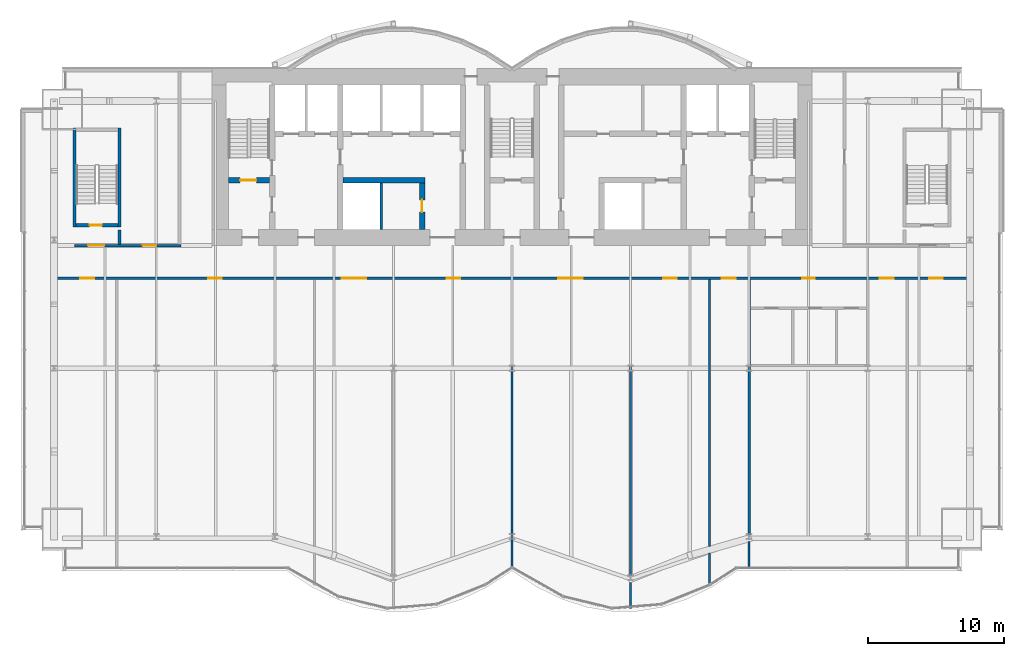
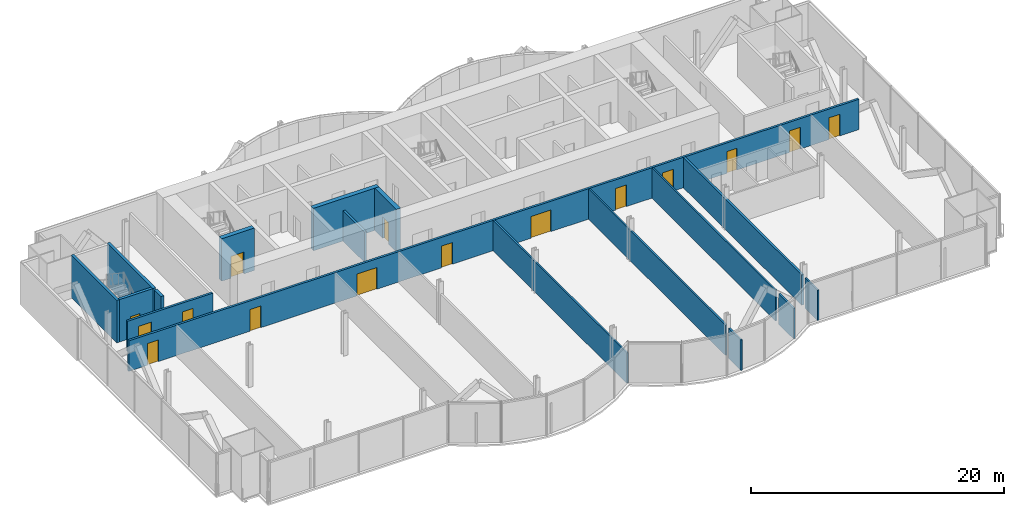
# One storey, part 15 of 21: 17 walls, 15 doors, 15 openings.
"""IFC4 building model written with IfcOpenShell, lengths in metres."""

from ifc_helpers import new_model, si_unit, direction, frame, frame_2d, origin, place, context, subcontext, project, spatial, rectangle, extrude, material, layer, layer_set, type_object, element, fill, save


model = new_model("IFC4")

# Units and contexts
model_context = context("Model", 3, precision=1e-05, world=origin(), true_north=direction((0.0, 1.0)))
body_context = subcontext(model_context, "Body", "Model", "MODEL_VIEW")
ifc_project = project(units=[si_unit("LENGTHUNIT", "METRE"), si_unit("AREAUNIT", "SQUARE_METRE"), si_unit("VOLUMEUNIT", "CUBIC_METRE"), si_unit("PLANEANGLEUNIT", "RADIAN"), si_unit("MASSUNIT", "GRAM", prefix="KILO")], contexts=[model_context])

# Site, building, storey
site_placement = place(None, origin())
site = spatial("IfcSite", under=ifc_project, at=site_placement, CompositionType="ELEMENT")
building_placement = place(site_placement, origin())
building = spatial("IfcBuilding", under=site, at=building_placement, Name="Bicima Exchange Tower", CompositionType="ELEMENT")
storey_placement = place(building_placement, frame((0.0, 0.0, 126.800048828125)))
storey = spatial("IfcBuildingStorey", under=building, at=storey_placement, Name="L27", CompositionType="ELEMENT", Elevation=126.800048828125)

# Wall
ifc_material_1 = material(Name="Gypsum board partition")
ifc_layer_1 = layer(ifc_material_1, 0.199951171875)
ifc_layer_set_1 = layer_set([ifc_layer_1], Name="Gypsum board partition")
wall_type_1 = type_object("IfcWallType", Name="Fire-rated gypsum partition 200 EI120", PredefinedType="PARTITIONING", material=ifc_layer_set_1)
wall_1_placement = place(storey_placement, frame((-9.60009765625, -11.800048828125, 0.0), z_axis=(0.0, 0.0, 1.0), x_axis=(0.0, 1.0, 0.0)))
element("IfcWall", 1, at=wall_1_placement, inside=storey, type_object=wall_type_1, Name="partition wall 11", PredefinedType="PARTITIONING", context=body_context, shape_type="SweptSolid", body=[
    extrude(rectangle(XDim=3.400146484375, YDim=0.199951171875, at=frame_2d((1.7001953125, 0.0))), origin(), (0.0, 0.0, 1.0), 2.939453125),
])

# Wall, openings, doors
ifc_layer_2 = layer(ifc_material_1, 0.199951171875)
ifc_layer_set_2 = layer_set([ifc_layer_2], Name="Gypsum board partition")
wall_type_2 = type_object("IfcWallType", Name="Fire-rated gypsum partition 200 EI60", PredefinedType="PARTITIONING", material=ifc_layer_set_2)
wall_2_placement = place(storey_placement, frame((-33.3701171875, -15.39990234375, 0.0), z_axis=(0.0, 0.0, 1.0), x_axis=(1.0, 0.0, 0.0)))
wall_2 = element("IfcWall", 2, at=wall_2_placement, inside=storey, type_object=wall_type_2, Name="partition wall 3", PredefinedType="PARTITIONING", context=body_context, shape_type="SweptSolid", body=[
    extrude(rectangle(XDim=66.740234375, YDim=0.199951171875, at=frame_2d((33.3701171875, 0.0))), origin(), (0.0, 0.0, 1.0), 2.939453125),
])
opening_1_placement = place(wall_2_placement, frame((1.699951171875, 0.0, 0.0)))
opening_1 = element("IfcOpeningElement", 3, at=opening_1_placement, cuts=wall_2, Name="Opening L27-007", PredefinedType="OPENING", context=body_context, shape_type="SweptSolid", body=[
    extrude(rectangle(XDim=1.0, YDim=2.10009765625, at=frame_2d((0.5, 1.050048828125))), frame((0.0, 0.11181640625, 0.0), z_axis=(0.0, -1.0, 0.0), x_axis=(1.0, 0.0, 0.0)), (0.0, 0.0, 1.0), 0.223876953125),
])
opening_2_placement = place(wall_2_placement, frame((11.070068359375, 0.0, 0.0)))
opening_2 = element("IfcOpeningElement", 4, at=opening_2_placement, cuts=wall_2, Name="Opening L27-008", PredefinedType="OPENING", context=body_context, shape_type="SweptSolid", body=[
    extrude(rectangle(XDim=1.0, YDim=2.10009765625, at=frame_2d((0.5, 1.050048828125))), frame((0.0, 0.11181640625, 0.0), z_axis=(0.0, -1.0, 0.0), x_axis=(1.0, 0.0, 0.0)), (0.0, 0.0, 1.0), 0.223876953125),
])
opening_3_placement = place(wall_2_placement, frame((20.8701171875, 0.0, 0.0)))
opening_3 = element("IfcOpeningElement", 5, at=opening_3_placement, cuts=wall_2, Name="Opening L27-009", PredefinedType="OPENING", context=body_context, shape_type="SweptSolid", body=[
    extrude(rectangle(XDim=1.800048828125, YDim=2.10009765625, at=frame_2d((0.89990234375, 1.050048828125))), frame((0.0, 0.11181640625, 0.0), z_axis=(0.0, -1.0, 0.0), x_axis=(1.0, 0.0, 0.0)), (0.0, 0.0, 1.0), 0.223876953125),
])
opening_4_placement = place(wall_2_placement, frame((28.570068359375, 0.0, 0.0)))
opening_4 = element("IfcOpeningElement", 6, at=opening_4_placement, cuts=wall_2, Name="Opening L27-010", PredefinedType="OPENING", context=body_context, shape_type="SweptSolid", body=[
    extrude(rectangle(XDim=1.0, YDim=2.10009765625, at=frame_2d((0.5, 1.050048828125))), frame((0.0, 0.11181640625, 0.0), z_axis=(0.0, -1.0, 0.0), x_axis=(1.0, 0.0, 0.0)), (0.0, 0.0, 1.0), 0.223876953125),
])
opening_5_placement = place(wall_2_placement, frame((36.77001953125, 0.0, 0.0)))
opening_5 = element("IfcOpeningElement", 7, at=opening_5_placement, cuts=wall_2, Name="Opening L27-011", PredefinedType="OPENING", context=body_context, shape_type="SweptSolid", body=[
    extrude(rectangle(XDim=1.800048828125, YDim=2.10009765625, at=frame_2d((0.89990234375, 1.050048828125))), frame((0.0, 0.11181640625, 0.0), z_axis=(0.0, -1.0, 0.0), x_axis=(1.0, 0.0, 0.0)), (0.0, 0.0, 1.0), 0.223876953125),
])
opening_6_placement = place(wall_2_placement, frame((44.469970703125, 0.0, 0.0)))
opening_6 = element("IfcOpeningElement", 8, at=opening_6_placement, cuts=wall_2, Name="Opening L27-012", PredefinedType="OPENING", context=body_context, shape_type="SweptSolid", body=[
    extrude(rectangle(XDim=1.0, YDim=2.10009765625, at=frame_2d((0.5, 1.050048828125))), frame((0.0, 0.11181640625, 0.0), z_axis=(0.0, -1.0, 0.0), x_axis=(1.0, 0.0, 0.0)), (0.0, 0.0, 1.0), 0.223876953125),
])
opening_7_placement = place(wall_2_placement, frame((48.77001953125, 0.0, 0.0)))
opening_7 = element("IfcOpeningElement", 9, at=opening_7_placement, cuts=wall_2, Name="Opening L27-013", PredefinedType="OPENING", context=body_context, shape_type="SweptSolid", body=[
    extrude(rectangle(XDim=1.0, YDim=2.10009765625, at=frame_2d((0.5, 1.050048828125))), frame((0.0, 0.11181640625, 0.0), z_axis=(0.0, -1.0, 0.0), x_axis=(1.0, 0.0, 0.0)), (0.0, 0.0, 1.0), 0.223876953125),
])
opening_8_placement = place(wall_2_placement, frame((54.669921875, 0.0, 0.0)))
opening_8 = element("IfcOpeningElement", 10, at=opening_8_placement, cuts=wall_2, Name="Opening L27-014", PredefinedType="OPENING", context=body_context, shape_type="SweptSolid", body=[
    extrude(rectangle(XDim=0.89990234375, YDim=2.10009765625, at=frame_2d((0.449951171875, 1.050048828125))), frame((0.0, 0.11181640625, 0.0), z_axis=(0.0, -1.0, 0.0), x_axis=(1.0, 0.0, 0.0)), (0.0, 0.0, 1.0), 0.223876953125),
])
opening_9_placement = place(wall_2_placement, frame((60.3701171875, 0.0, 0.0)))
opening_9 = element("IfcOpeningElement", 11, at=opening_9_placement, cuts=wall_2, Name="Opening L27-018", PredefinedType="OPENING", context=body_context, shape_type="SweptSolid", body=[
    extrude(rectangle(XDim=1.0, YDim=2.10009765625, at=frame_2d((0.5, 1.050048828125))), frame((0.0, 0.11181640625, 0.0), z_axis=(0.0, -1.0, 0.0), x_axis=(1.0, 0.0, 0.0)), (0.0, 0.0, 1.0), 0.223876953125),
])
opening_10_placement = place(wall_2_placement, frame((63.969970703125, 0.0, 0.0)))
opening_10 = element("IfcOpeningElement", 12, at=opening_10_placement, cuts=wall_2, Name="Opening L27-019", PredefinedType="OPENING", context=body_context, shape_type="SweptSolid", body=[
    extrude(rectangle(XDim=1.0, YDim=2.10009765625, at=frame_2d((0.5, 1.050048828125))), frame((0.0, 0.11181640625, 0.0), z_axis=(0.0, -1.0, 0.0), x_axis=(1.0, 0.0, 0.0)), (0.0, 0.0, 1.0), 0.223876953125),
])
ifc_material_2 = material(Name="Steel fire door leaf", Category="steel")
door_type_1 = type_object("IfcDoorType", Name="Door 1000 swing FD30S", OperationType="SINGLE_SWING_LEFT", PredefinedType="DOOR", material=ifc_material_2)
door_1_placement = place(opening_1_placement, frame((1.0, 0.0, 0.0), z_axis=(0.0, 0.0, 1.0), x_axis=(-1.0, 0.0, 0.0)))
door_1 = element("IfcDoor", 13, at=door_1_placement, inside=storey, type_object=door_type_1, Name="Door", OperationType="SINGLE_SWING_LEFT", OverallHeight=2.10009765625, OverallWidth=1.0, PredefinedType="DOOR", context=body_context, shape_type="SweptSolid", body=[
    extrude(rectangle(XDim=1.0, YDim=2.10009765625, at=frame_2d((0.5, 1.050048828125))), frame((0.0, 0.02490234375, 0.0), z_axis=(0.0, -1.0, 0.0), x_axis=(1.0, 0.0, 0.0)), (0.0, 0.0, 1.0), 0.050048828125),
])
fill(opening_1, door_1)
door_2_placement = place(opening_2_placement, frame((1.0, 0.0, 0.0), z_axis=(0.0, 0.0, 1.0), x_axis=(-1.0, 0.0, 0.0)))
door_2 = element("IfcDoor", 14, at=door_2_placement, inside=storey, type_object=door_type_1, Name="Door", OperationType="SINGLE_SWING_RIGHT", OverallHeight=2.10009765625, OverallWidth=1.0, PredefinedType="DOOR", context=body_context, shape_type="SweptSolid", body=[
    extrude(rectangle(XDim=1.0, YDim=2.10009765625, at=frame_2d((0.5, 1.050048828125))), frame((0.0, 0.02490234375, 0.0), z_axis=(0.0, -1.0, 0.0), x_axis=(1.0, 0.0, 0.0)), (0.0, 0.0, 1.0), 0.050048828125),
])
fill(opening_2, door_2)
door_3_placement = place(opening_4_placement, frame((1.0, 0.0, 0.0), z_axis=(0.0, 0.0, 1.0), x_axis=(-1.0, 0.0, 0.0)))
door_3 = element("IfcDoor", 15, at=door_3_placement, inside=storey, type_object=door_type_1, Name="Door", OperationType="SINGLE_SWING_LEFT", OverallHeight=2.10009765625, OverallWidth=1.0, PredefinedType="DOOR", context=body_context, shape_type="SweptSolid", body=[
    extrude(rectangle(XDim=1.0, YDim=2.10009765625, at=frame_2d((0.5, 1.050048828125))), frame((0.0, 0.02490234375, 0.0), z_axis=(0.0, -1.0, 0.0), x_axis=(1.0, 0.0, 0.0)), (0.0, 0.0, 1.0), 0.050048828125),
])
fill(opening_4, door_3)
door_4_placement = place(opening_6_placement, frame((1.0, 0.0, 0.0), z_axis=(0.0, 0.0, 1.0), x_axis=(-1.0, 0.0, 0.0)))
door_4 = element("IfcDoor", 16, at=door_4_placement, inside=storey, type_object=door_type_1, Name="Door", OperationType="SINGLE_SWING_RIGHT", OverallHeight=2.10009765625, OverallWidth=1.0, PredefinedType="DOOR", context=body_context, shape_type="SweptSolid", body=[
    extrude(rectangle(XDim=1.0, YDim=2.10009765625, at=frame_2d((0.5, 1.050048828125))), frame((0.0, 0.02490234375, 0.0), z_axis=(0.0, -1.0, 0.0), x_axis=(1.0, 0.0, 0.0)), (0.0, 0.0, 1.0), 0.050048828125),
])
fill(opening_6, door_4)
door_5_placement = place(opening_7_placement, frame((1.0, 0.0, 0.0), z_axis=(0.0, 0.0, 1.0), x_axis=(-1.0, 0.0, 0.0)))
door_5 = element("IfcDoor", 17, at=door_5_placement, inside=storey, type_object=door_type_1, Name="Door", OperationType="SINGLE_SWING_LEFT", OverallHeight=2.10009765625, OverallWidth=1.0, PredefinedType="DOOR", context=body_context, shape_type="SweptSolid", body=[
    extrude(rectangle(XDim=1.0, YDim=2.10009765625, at=frame_2d((0.5, 1.050048828125))), frame((0.0, 0.02490234375, 0.0), z_axis=(0.0, -1.0, 0.0), x_axis=(1.0, 0.0, 0.0)), (0.0, 0.0, 1.0), 0.050048828125),
])
fill(opening_7, door_5)
door_6_placement = place(opening_9_placement, frame((1.0, 0.0, 0.0), z_axis=(0.0, 0.0, 1.0), x_axis=(-1.0, 0.0, 0.0)))
door_6 = element("IfcDoor", 18, at=door_6_placement, inside=storey, type_object=door_type_1, Name="Door", OperationType="SINGLE_SWING_RIGHT", OverallHeight=2.10009765625, OverallWidth=1.0, PredefinedType="DOOR", context=body_context, shape_type="SweptSolid", body=[
    extrude(rectangle(XDim=1.0, YDim=2.10009765625, at=frame_2d((0.5, 1.050048828125))), frame((0.0, 0.02490234375, 0.0), z_axis=(0.0, -1.0, 0.0), x_axis=(1.0, 0.0, 0.0)), (0.0, 0.0, 1.0), 0.050048828125),
])
fill(opening_9, door_6)
door_7_placement = place(opening_10_placement, frame((1.0, 0.0, 0.0), z_axis=(0.0, 0.0, 1.0), x_axis=(-1.0, 0.0, 0.0)))
door_7 = element("IfcDoor", 19, at=door_7_placement, inside=storey, type_object=door_type_1, Name="Door", OperationType="SINGLE_SWING_LEFT", OverallHeight=2.10009765625, OverallWidth=1.0, PredefinedType="DOOR", context=body_context, shape_type="SweptSolid", body=[
    extrude(rectangle(XDim=1.0, YDim=2.10009765625, at=frame_2d((0.5, 1.050048828125))), frame((0.0, 0.02490234375, 0.0), z_axis=(0.0, -1.0, 0.0), x_axis=(1.0, 0.0, 0.0)), (0.0, 0.0, 1.0), 0.050048828125),
])
fill(opening_10, door_7)
door_type_2 = type_object("IfcDoorType", Name="Door 1800 double swing FD30S", OperationType="DOUBLE_DOOR_SINGLE_SWING", PredefinedType="DOOR", material=ifc_material_2)
door_8_placement = place(opening_3_placement, origin())
door_8 = element("IfcDoor", 20, at=door_8_placement, inside=storey, type_object=door_type_2, Name="Door", OperationType="SINGLE_SWING_LEFT", OverallHeight=2.10009765625, OverallWidth=1.800048828125, PredefinedType="DOOR", context=body_context, shape_type="SweptSolid", body=[
    extrude(rectangle(XDim=1.800048828125, YDim=2.10009765625, at=frame_2d((0.89990234375, 1.050048828125))), frame((0.0, 0.02490234375, 0.0), z_axis=(0.0, -1.0, 0.0), x_axis=(1.0, 0.0, 0.0)), (0.0, 0.0, 1.0), 0.050048828125),
])
fill(opening_3, door_8)
door_9_placement = place(opening_5_placement, origin())
door_9 = element("IfcDoor", 21, at=door_9_placement, inside=storey, type_object=door_type_2, Name="Door", OperationType="SINGLE_SWING_LEFT", OverallHeight=2.10009765625, OverallWidth=1.800048828125, PredefinedType="DOOR", context=body_context, shape_type="SweptSolid", body=[
    extrude(rectangle(XDim=1.800048828125, YDim=2.10009765625, at=frame_2d((0.89990234375, 1.050048828125))), frame((0.0, 0.02490234375, 0.0), z_axis=(0.0, -1.0, 0.0), x_axis=(1.0, 0.0, 0.0)), (0.0, 0.0, 1.0), 0.050048828125),
])
fill(opening_5, door_9)
door_type_3 = type_object("IfcDoorType", Name="Door 900 swing FD30S", OperationType="SINGLE_SWING_LEFT", PredefinedType="DOOR", material=ifc_material_2)
door_10_placement = place(opening_8_placement, frame((0.89990234375, 0.0, 0.0), z_axis=(0.0, 0.0, 1.0), x_axis=(-1.0, 0.0, 0.0)))
door_10 = element("IfcDoor", 22, at=door_10_placement, inside=storey, type_object=door_type_3, Name="Door", OperationType="SINGLE_SWING_RIGHT", OverallHeight=2.10009765625, OverallWidth=0.89990234375, PredefinedType="DOOR", context=body_context, shape_type="SweptSolid", body=[
    extrude(rectangle(XDim=0.89990234375, YDim=2.10009765625, at=frame_2d((0.449951171875, 1.050048828125))), frame((0.0, 0.02490234375, 0.0), z_axis=(0.0, -1.0, 0.0), x_axis=(1.0, 0.0, 0.0)), (0.0, 0.0, 1.0), 0.050048828125),
])
fill(opening_8, door_10)

wall_3_placement = place(storey_placement, frame((-32.10009765625, -13.0, 0.0), z_axis=(0.0, 0.0, 1.0), x_axis=(1.0, 0.0, 0.0)))
wall_3 = element("IfcWall", 23, at=wall_3_placement, inside=storey, type_object=wall_type_2, Name="partition wall 4", PredefinedType="PARTITIONING", context=body_context, shape_type="SweptSolid", body=[
    extrude(rectangle(XDim=7.800048828125, YDim=0.199951171875, at=frame_2d((3.89990234375, 0.0))), origin(), (0.0, 0.0, 1.0), 2.939453125),
])
opening_11_placement = place(wall_3_placement, frame((1.0, 0.0, 0.0)))
opening_11 = element("IfcOpeningElement", 24, at=opening_11_placement, cuts=wall_3, Name="Opening L27-001", PredefinedType="OPENING", context=body_context, shape_type="SweptSolid", body=[
    extrude(rectangle(XDim=1.199951171875, YDim=2.10009765625, at=frame_2d((0.60009765625, 1.050048828125))), frame((0.0, 0.11181640625, 0.0), z_axis=(0.0, -1.0, 0.0), x_axis=(1.0, 0.0, 0.0)), (0.0, 0.0, 1.0), 0.223876953125),
])
opening_12_placement = place(wall_3_placement, frame((5.0, 0.0, 0.0)))
opening_12 = element("IfcOpeningElement", 25, at=opening_12_placement, cuts=wall_3, Name="Opening L27-005", PredefinedType="OPENING", context=body_context, shape_type="SweptSolid", body=[
    extrude(rectangle(XDim=1.0, YDim=2.10009765625, at=frame_2d((0.5, 1.050048828125))), frame((0.0, 0.11181640625, 0.0), z_axis=(0.0, -1.0, 0.0), x_axis=(1.0, 0.0, 0.0)), (0.0, 0.0, 1.0), 0.223876953125),
])
door_11_placement = place(opening_12_placement, origin())
door_11 = element("IfcDoor", 26, at=door_11_placement, inside=storey, type_object=door_type_1, Name="Door", OperationType="SINGLE_SWING_LEFT", OverallHeight=2.10009765625, OverallWidth=1.0, PredefinedType="DOOR", context=body_context, shape_type="SweptSolid", body=[
    extrude(rectangle(XDim=1.0, YDim=2.10009765625, at=frame_2d((0.5, 1.050048828125))), frame((0.0, 0.02490234375, 0.0), z_axis=(0.0, -1.0, 0.0), x_axis=(1.0, 0.0, 0.0)), (0.0, 0.0, 1.0), 0.050048828125),
])
fill(opening_12, door_11)
door_type_4 = type_object("IfcDoorType", Name="Door 1200 swing FD30S", OperationType="SINGLE_SWING_LEFT", PredefinedType="DOOR", material=ifc_material_2)
door_12_placement = place(opening_11_placement, origin())
door_12 = element("IfcDoor", 27, at=door_12_placement, inside=storey, type_object=door_type_4, Name="Door", OperationType="SINGLE_SWING_LEFT", OverallHeight=2.10009765625, OverallWidth=1.199951171875, PredefinedType="DOOR", context=body_context, shape_type="SweptSolid", body=[
    extrude(rectangle(XDim=1.199951171875, YDim=2.10009765625, at=frame_2d((0.60009765625, 1.050048828125))), frame((0.0, 0.02490234375, 0.0), z_axis=(0.0, -1.0, 0.0), x_axis=(1.0, 0.0, 0.0)), (0.0, 0.0, 1.0), 0.050048828125),
])
fill(opening_11, door_12)

# Walls
wall_4_placement = place(storey_placement, frame((17.39990234375, -34.23876953125, 0.0), z_axis=(0.0, 0.0, 1.0), x_axis=(0.0, 1.0, 0.0)))
element("IfcWall", 28, at=wall_4_placement, inside=storey, type_object=wall_type_2, Name="partition wall 26", PredefinedType="PARTITIONING", context=body_context, shape_type="SweptSolid", body=[
    extrude(rectangle(XDim=18.73876953125, YDim=0.199951171875, at=frame_2d((9.369384765625, 0.0))), origin(), (0.0, 0.0, 1.0), 2.939453125),
])
ifc_layer_3 = layer(ifc_material_1, 0.14990234375)
ifc_layer_set_3 = layer_set([ifc_layer_3], Name="Gypsum board partition")
wall_type_3 = type_object("IfcWallType", Name="Gypsum partition 150", PredefinedType="PARTITIONING", material=ifc_layer_set_3)
wall_5_placement = place(storey_placement, frame((0.0, -36.6298828125, 0.0), z_axis=(0.0, 0.0, 1.0), x_axis=(0.0, 1.0, 0.0)))
element("IfcWall", 29, at=wall_5_placement, inside=storey, type_object=wall_type_3, Name="partition wall 20", PredefinedType="PARTITIONING", context=body_context, shape_type="SweptSolid", body=[
    extrude(rectangle(XDim=21.1298828125, YDim=0.14990234375, at=frame_2d((10.56494140625, 0.0))), origin(), (0.0, 0.0, 1.0), 2.939453125),
])
wall_6_placement = place(storey_placement, frame((8.699951171875, -39.6298828125, 0.0), z_axis=(0.0, 0.0, 1.0), x_axis=(0.0, 1.0, 0.0)))
element("IfcWall", 30, at=wall_6_placement, inside=storey, type_object=wall_type_3, Name="partition wall 21", PredefinedType="PARTITIONING", context=body_context, shape_type="SweptSolid", body=[
    extrude(rectangle(XDim=1.9189453125, YDim=0.14990234375, at=frame_2d((0.95947265625, 0.0))), origin(), (0.0, 0.0, 1.0), 2.939453125),
])
wall_7_placement = place(storey_placement, frame((8.699951171875, -37.22314453125, 0.0), z_axis=(0.0, 0.0, 1.0), x_axis=(0.0, 1.0, 0.0)))
element("IfcWall", 31, at=wall_7_placement, inside=storey, type_object=wall_type_3, Name="partition wall 22", PredefinedType="PARTITIONING", context=body_context, shape_type="SweptSolid", body=[
    extrude(rectangle(XDim=21.72314453125, YDim=0.14990234375, at=frame_2d((10.861572265625, 0.0))), origin(), (0.0, 0.0, 1.0), 2.939453125),
])
wall_8_placement = place(storey_placement, frame((14.5, -37.909912109375, 0.0), z_axis=(0.0, 0.0, 1.0), x_axis=(0.0, 1.0, 0.0)))
element("IfcWall", 32, at=wall_8_placement, inside=storey, type_object=wall_type_3, Name="partition wall 23", PredefinedType="PARTITIONING", context=body_context, shape_type="SweptSolid", body=[
    extrude(rectangle(XDim=2.3623046875, YDim=0.14990234375, at=frame_2d((1.18115234375, 0.0))), origin(), (0.0, 0.0, 1.0), 2.939453125),
])
wall_9_placement = place(storey_placement, frame((14.5, -35.072998046875, 0.0), z_axis=(0.0, 0.0, 1.0), x_axis=(0.0, 1.0, 0.0)))
element("IfcWall", 33, at=wall_9_placement, inside=storey, type_object=wall_type_3, Name="partition wall 24", PredefinedType="PARTITIONING", context=body_context, shape_type="SweptSolid", body=[
    extrude(rectangle(XDim=19.572998046875, YDim=0.14990234375, at=frame_2d((9.78662109375, 0.0))), origin(), (0.0, 0.0, 1.0), 2.939453125),
])
wall_10_placement = place(storey_placement, frame((17.39990234375, -36.669921875, 0.0), z_axis=(0.0, 0.0, 1.0), x_axis=(0.0, 1.0, 0.0)))
element("IfcWall", 34, at=wall_10_placement, inside=storey, type_object=wall_type_3, Name="partition wall 25", PredefinedType="PARTITIONING", context=body_context, shape_type="SweptSolid", body=[
    extrude(rectangle(XDim=1.95654296875, YDim=0.14990234375, at=frame_2d((0.978271484375, 0.0))), origin(), (0.0, 0.0, 1.0), 2.939453125),
])
ifc_material_3 = material(Name="Concrete C50/60", Category="concrete")
ifc_layer_4 = layer(ifc_material_3, 0.25)
ifc_layer_set_4 = layer_set([ifc_layer_4], Name="Concrete C50/60")
wall_type_4 = type_object("IfcWallType", Name="RC core wall 250 C50/60", PredefinedType="SHEAR", material=ifc_layer_set_4)
wall_11_placement = place(storey_placement, frame((-28.800048828125, -12.89990234375, 0.0), z_axis=(0.0, 0.0, 1.0), x_axis=(0.0, 1.0, 0.0)))
element("IfcWall", 35, at=wall_11_placement, inside=storey, type_object=wall_type_4, Name="stair wall 14", PredefinedType="SHEAR", context=body_context, shape_type="SweptSolid", body=[
    extrude(rectangle(XDim=1.0498046875, YDim=0.25, at=frame_2d((0.52490234375, 0.0))), origin(), (0.0, 0.0, 1.0), 4.099853515625),
])

# Wall, opening, door
ifc_layer_5 = layer(ifc_material_3, 0.39990234375)
ifc_layer_set_5 = layer_set([ifc_layer_5], Name="Concrete C50/60")
wall_type_5 = type_object("IfcWallType", Name="RC core wall 400 C50/60", PredefinedType="SHEAR", material=ifc_layer_set_5)
wall_12_placement = place(storey_placement, frame((-20.800048828125, -8.199951171875, 0.0), z_axis=(0.0, 0.0, 1.0), x_axis=(1.0, 0.0, 0.0)))
wall_12 = element("IfcWall", 36, at=wall_12_placement, inside=storey, type_object=wall_type_5, Name="stair wall 1", PredefinedType="SHEAR", context=body_context, shape_type="SweptSolid", body=[
    extrude(rectangle(XDim=3.0, YDim=0.39990234375, at=frame_2d((1.5, 0.0))), origin(), (0.0, 0.0, 1.0), 4.099853515625),
])
opening_13_placement = place(wall_12_placement, frame((0.85009765625, 0.0, 0.0)))
opening_13 = element("IfcOpeningElement", 37, at=opening_13_placement, cuts=wall_12, Name="Opening L27-C01", PredefinedType="OPENING", context=body_context, shape_type="SweptSolid", body=[
    extrude(rectangle(XDim=1.199951171875, YDim=2.10009765625, at=frame_2d((0.60009765625, 1.050048828125))), frame((0.0, 0.2119140625, 0.0), z_axis=(0.0, -1.0, 0.0), x_axis=(1.0, 0.0, 0.0)), (0.0, 0.0, 1.0), 0.423828125),
])
door_type_5 = type_object("IfcDoorType", Name="Door 1200 swing FD60S", OperationType="SINGLE_SWING_LEFT", PredefinedType="DOOR", material=ifc_material_2)
door_13_placement = place(opening_13_placement, origin())
door_13 = element("IfcDoor", 38, at=door_13_placement, inside=storey, type_object=door_type_5, Name="Core door", OperationType="SINGLE_SWING_LEFT", OverallHeight=2.10009765625, OverallWidth=1.199951171875, PredefinedType="DOOR", context=body_context, shape_type="SweptSolid", body=[
    extrude(rectangle(XDim=1.199951171875, YDim=2.10009765625, at=frame_2d((0.60009765625, 1.050048828125))), frame((0.0, 0.02490234375, 0.0), z_axis=(0.0, -1.0, 0.0), x_axis=(1.0, 0.0, 0.0)), (0.0, 0.0, 1.0), 0.050048828125),
])
fill(opening_13, door_13)

# Wall
ifc_material_4 = material(Name="Concrete C60/75", Category="concrete")
ifc_layer_6 = layer(ifc_material_4, 0.39990234375)
ifc_layer_set_6 = layer_set([ifc_layer_6], Name="Concrete C60/75")
wall_type_6 = type_object("IfcWallType", Name="RC core wall 400 C60/75", PredefinedType="SHEAR", material=ifc_layer_set_6)
wall_13_placement = place(storey_placement, frame((-12.39990234375, -8.199951171875, 0.0), z_axis=(0.0, 0.0, 1.0), x_axis=(1.0, 0.0, 0.0)))
element("IfcWall", 39, at=wall_13_placement, inside=storey, type_object=wall_type_6, Name="shear wall 2", PredefinedType="SHEAR", context=body_context, shape_type="SweptSolid", body=[
    extrude(rectangle(XDim=6.0, YDim=0.39990234375, at=frame_2d((3.0, 0.0))), origin(), (0.0, 0.0, 1.0), 4.099853515625),
])

# Wall, opening, door
wall_14_placement = place(storey_placement, frame((-6.60009765625, -11.800048828125, 0.0), z_axis=(0.0, 0.0, 1.0), x_axis=(0.0, 1.0, 0.0)))
wall_14 = element("IfcWall", 40, at=wall_14_placement, inside=storey, type_object=wall_type_6, Name="shear wall 13", PredefinedType="SHEAR", context=body_context, shape_type="SweptSolid", body=[
    extrude(rectangle(XDim=3.400146484375, YDim=0.39990234375, at=frame_2d((1.7001953125, 0.0))), origin(), (0.0, 0.0, 1.0), 4.099853515625),
])
opening_14_placement = place(wall_14_placement, frame((1.25, 0.0, 0.0)))
opening_14 = element("IfcOpeningElement", 41, at=opening_14_placement, cuts=wall_14, Name="Opening L27-C14", PredefinedType="OPENING", context=body_context, shape_type="SweptSolid", body=[
    extrude(rectangle(XDim=0.89990234375, YDim=2.10009765625, at=frame_2d((0.449951171875, 1.050048828125))), frame((0.0, 0.2119140625, 0.0), z_axis=(0.0, -1.0, 0.0), x_axis=(1.0, 0.0, 0.0)), (0.0, 0.0, 1.0), 0.423828125),
])
door_14_placement = place(opening_14_placement, origin())
door_14 = element("IfcDoor", 42, at=door_14_placement, inside=storey, type_object=door_type_3, Name="Core door", OperationType="SINGLE_SWING_RIGHT", OverallHeight=2.10009765625, OverallWidth=0.89990234375, PredefinedType="DOOR", context=body_context, shape_type="SweptSolid", body=[
    extrude(rectangle(XDim=0.89990234375, YDim=2.10009765625, at=frame_2d((0.449951171875, 1.050048828125))), frame((0.0, 0.02490234375, 0.0), z_axis=(0.0, -1.0, 0.0), x_axis=(1.0, 0.0, 0.0)), (0.0, 0.0, 1.0), 0.050048828125),
])
fill(opening_14, door_14)

# Walls
ifc_layer_7 = layer(ifc_material_3, 0.25)
ifc_layer_set_7 = layer_set([ifc_layer_7], Name="Concrete C50/60")
wall_type_7 = type_object("IfcWallType", Name="RC stair enclosure wall 250 C50/60", PredefinedType="SHEAR", material=ifc_layer_set_7)
for number, where, z_axis, x_axis, name in (
    (43, (-32.10009765625, -11.625, 0.0), (0.0, 0.0, 1.0), (0.0, 1.0, 0.0), "West end exit stair wall W"),
    (44, (-28.800048828125, -11.625, 0.0), (0.0, 0.0, 1.0), (0.0, 1.0, 0.0), "West end exit stair wall E"),
):
    element("IfcWall", number, at=place(storey_placement, frame(where, z_axis=z_axis, x_axis=x_axis)), inside=storey, type_object=wall_type_7, Name=name, PredefinedType="SHEAR", context=body_context, shape_type="SweptSolid", body=[
        extrude(rectangle(XDim=7.25, YDim=0.25, at=frame_2d((3.625, 0.0))), origin(), (0.0, 0.0, 1.0), 4.099853515625),
    ])

# Wall, opening, door
wall_15_placement = place(storey_placement, frame((-31.97509765625, -11.5, 0.0), z_axis=(0.0, 0.0, 1.0), x_axis=(1.0, 0.0, 0.0)))
wall_15 = element("IfcWall", 45, at=wall_15_placement, inside=storey, type_object=wall_type_7, Name="West end exit stair wall S", PredefinedType="SHEAR", context=body_context, shape_type="SweptSolid", body=[
    extrude(rectangle(XDim=3.050048828125, YDim=0.25, at=frame_2d((1.52490234375, 0.0))), origin(), (0.0, 0.0, 1.0), 4.099853515625),
])
opening_15_placement = place(wall_15_placement, frame((0.97509765625, 0.0, 0.0)))
opening_15 = element("IfcOpeningElement", 46, at=opening_15_placement, cuts=wall_15, Name="Opening L27-002", PredefinedType="OPENING", context=body_context, shape_type="SweptSolid", body=[
    extrude(rectangle(XDim=0.89990234375, YDim=2.10009765625, at=frame_2d((0.449951171875, 1.050048828125))), frame((0.0, 0.136962890625, 0.0), z_axis=(0.0, -1.0, 0.0), x_axis=(1.0, 0.0, 0.0)), (0.0, 0.0, 1.0), 0.27392578125),
])
door_type_6 = type_object("IfcDoorType", Name="Door 900 swing FD60S", OperationType="SINGLE_SWING_LEFT", PredefinedType="DOOR", material=ifc_material_2)
door_15_placement = place(opening_15_placement, origin())
door_15 = element("IfcDoor", 47, at=door_15_placement, inside=storey, type_object=door_type_6, Name="Door", OperationType="SINGLE_SWING_LEFT", OverallHeight=2.10009765625, OverallWidth=0.89990234375, PredefinedType="DOOR", context=body_context, shape_type="SweptSolid", body=[
    extrude(rectangle(XDim=0.89990234375, YDim=2.10009765625, at=frame_2d((0.449951171875, 1.050048828125))), frame((0.0, 0.02490234375, 0.0), z_axis=(0.0, -1.0, 0.0), x_axis=(1.0, 0.0, 0.0)), (0.0, 0.0, 1.0), 0.050048828125),
])
fill(opening_15, door_15)

save(model, "model.ifc")
